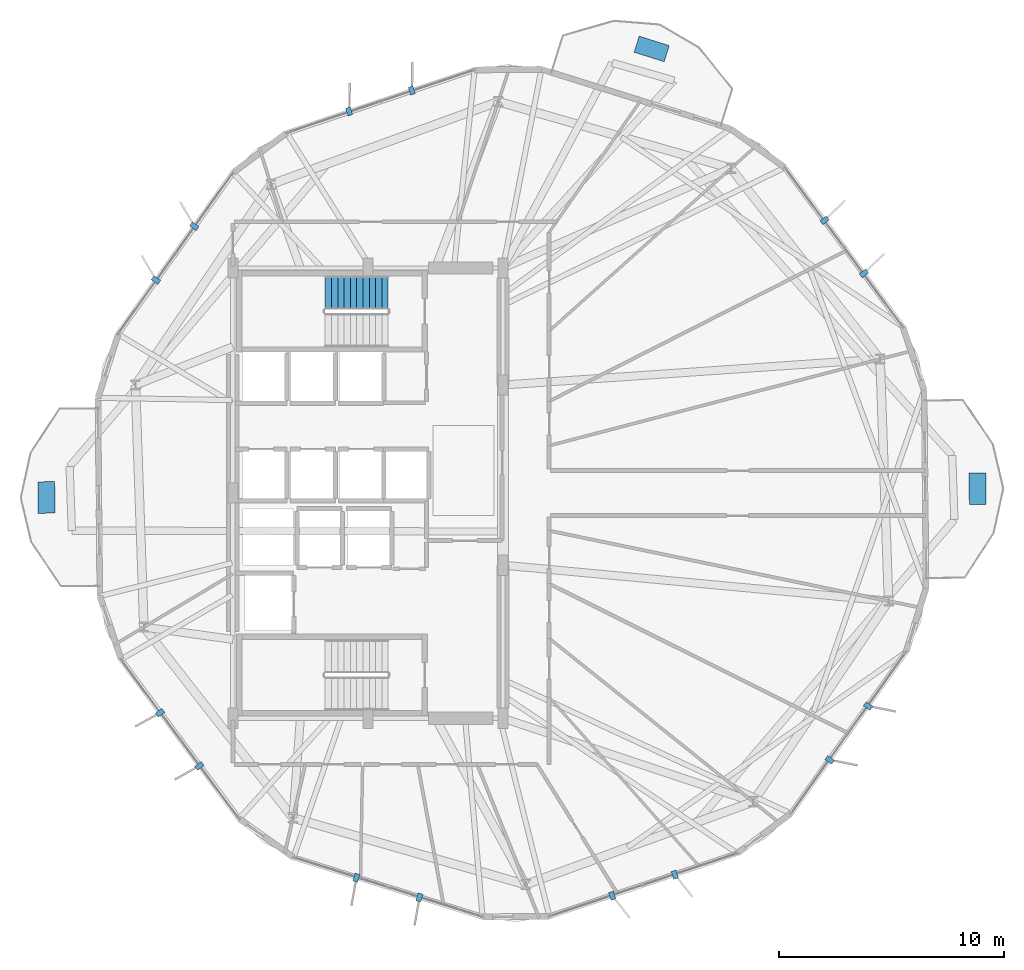
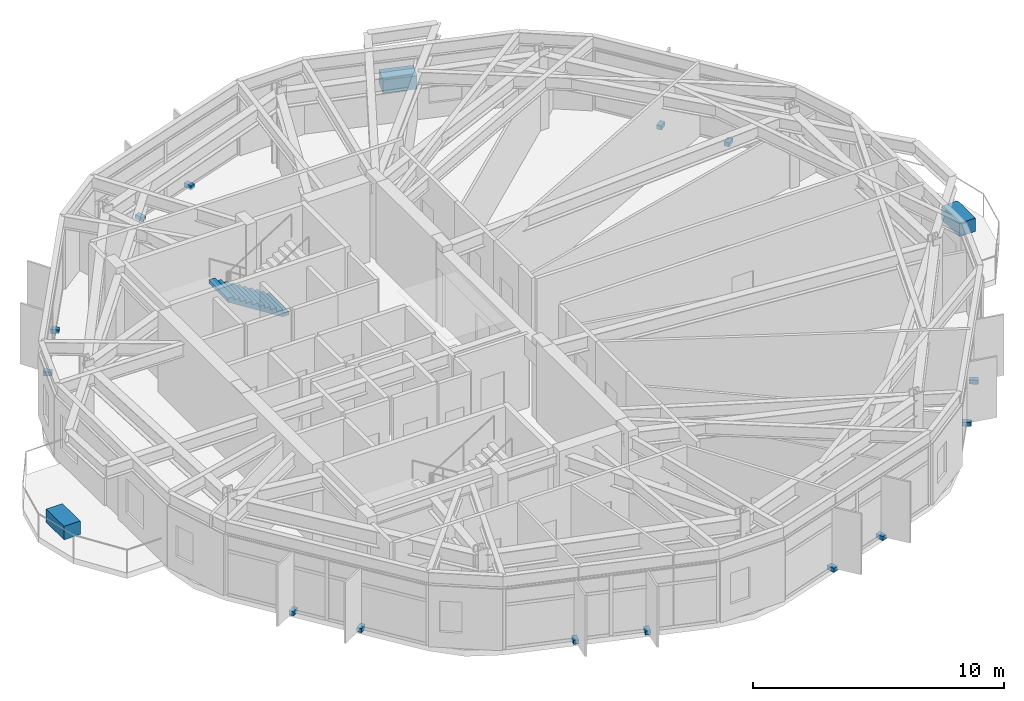
# One storey, part 24 of 27: 17 discrete accessories, 1 stair flight, 1 element without a shape of its own.
"""IFC4 building model written with IfcOpenShell, lengths in metres."""

from ifc_helpers import new_model, si_unit, direction, frame, origin, origin_2d, place, context, subcontext, project, spatial, polyline, rectangle, outline, extrude, material, layer, layer_set, type_object, element, aggregate, save


model = new_model("IFC4")

# Units and contexts
model_context = context("Model", 3, precision=1e-05, world=origin(), true_north=direction((0.0, 1.0)))
body_context = subcontext(model_context, "Body", "Model", "MODEL_VIEW")
ifc_project = project(units=[si_unit("LENGTHUNIT", "METRE"), si_unit("AREAUNIT", "SQUARE_METRE"), si_unit("VOLUMEUNIT", "CUBIC_METRE"), si_unit("PLANEANGLEUNIT", "RADIAN"), si_unit("MASSUNIT", "GRAM", prefix="KILO")], contexts=[model_context])

# Site, building, storey
site_placement = place(None, origin())
site = spatial("IfcSite", under=ifc_project, at=site_placement, CompositionType="ELEMENT")
building_placement = place(site_placement, origin())
building = spatial("IfcBuilding", under=site, at=building_placement, Name="Soratama Intermodal Tower", CompositionType="ELEMENT")
storey_placement = place(building_placement, frame((0.0, 0.0, 103.0)))
storey = spatial("IfcBuildingStorey", under=building, at=storey_placement, Name="L24", CompositionType="ELEMENT", Elevation=103.0)

# Stair, stair flight
ifc_material_1 = material(Name="Concrete f'c 42 MPa", Category="concrete")
stair_type = type_object("IfcStairType", Name="ST-CORE-DOGLEG", PredefinedType="HALF_TURN_STAIR", material=ifc_material_1)
stair_placement = place(storey_placement, origin())
stair = element("IfcStair", 1, at=stair_placement, inside=storey, type_object=stair_type, Name="L24 ST-2", PredefinedType="HALF_TURN_STAIR")
ifc_material_2 = material(Name="Precast concrete f'c 40 MPa", Category="concrete")
ifc_layer = layer(ifc_material_2, 0.199951171875)
ifc_layer_set = layer_set([ifc_layer], Name="Precast concrete f'c 40 MPa")
stair_flight_type = type_object("IfcStairFlightType", Name="SF-FLIGHT-RC", PredefinedType="STRAIGHT", material=ifc_layer_set)
stair_flight_placement = place(storey_placement, frame((39.5, 33.89990234375, 0.0), z_axis=(0.0, 0.0, 1.0), x_axis=(-1.0, 0.0, 0.0)))
stair_flight = element("IfcStairFlight", 2, at=stair_flight_placement, type_object=stair_flight_type, Name="ST-2 flight 1", NumberOfRisers=11, NumberOfTreads=10, PredefinedType="STRAIGHT", RiserHeight=0.177272727, TreadLength=0.28, context=body_context, shape_type="SweptSolid", body=[
    extrude(outline(polyline([(0.0, 0.0), (0.0, 0.17724609375), (0.280029296875, 0.17724609375), (0.280029296875, 0.3544921875), (0.56005859375, 0.3544921875), (0.56005859375, 0.53173828125), (0.840087890625, 0.53173828125), (0.840087890625, 0.708984375), (1.1201171875, 0.708984375), (1.1201171875, 0.886474609375), (1.39990234375, 0.886474609375), (1.39990234375, 1.063720703125), (1.679931640625, 1.063720703125), (1.679931640625, 1.240966796875), (1.9599609375, 1.240966796875), (1.9599609375, 1.418212890625), (2.239990234375, 1.418212890625), (2.239990234375, 1.595458984375), (2.52001953125, 1.595458984375), (2.52001953125, 1.772705078125), (2.800048828125, 1.772705078125), (2.800048828125, 1.949951171875), (2.800048828125, 1.59521484375), (0.2802734375, 0.0), (0.0, 0.0)])), frame((0.0, 0.75, 0.0), z_axis=(0.0, -1.0, 0.0), x_axis=(1.0, 0.0, 0.0)), (0.0, 0.0, 1.0), 1.5),
])
aggregate(stair, [stair_flight])

# Discrete accessories
ifc_material_3 = material(Name="Structural steel ASTM A992 Grade 50", Category="steel")
discrete_accessory_type_1 = type_object("IfcDiscreteAccessoryType", Name="AC-FIN-BRACKET", PredefinedType="BRACKET", material=ifc_material_3)
for number, where, z_axis, x_axis, name in (
    (3, (60.634521484375, 34.759033203125, -0.080078125), (0.0, 0.0, 1.0), (0.803441400112, 0.595383839708, 0.0), "L24 Fin Bracket F01-1"),
    (4, (58.88671875, 37.11767578125, -0.080078125), (0.0, 0.0, 1.0), (0.803441400112, 0.595383839708, 0.0), "L24 Fin Bracket F01-2"),
    (5, (40.550048828125, 42.885009765625, -0.080078125), (0.0, 0.0, 1.0), (-0.317966633832, 0.948101903684, 0.0), "L24 Fin Bracket F03-1"),
    (6, (37.766845703125, 41.95166015625, -0.080078125), (0.0, 0.0, 1.0), (-0.317966633832, 0.948101903684, 0.0), "L24 Fin Bracket F03-2"),
    (7, (30.88720703125, 36.853759765625, -0.080078125), (0.0, 0.0, 1.0), (-0.814520727071, 0.580134454392, 0.0), "L24 Fin Bracket F04-1"),
    (8, (29.18408203125, 34.462646484375, -0.080078125), (0.0, 0.0, 1.0), (-0.814520727071, 0.580134454392, 0.0), "L24 Fin Bracket F04-2"),
    (9, (29.365478515625, 15.240966796875, -0.080078125), (0.0, 0.0, 1.0), (-0.803441400112, -0.595383839708, 0.0), "L24 Fin Bracket F06-1"),
    (10, (31.11328125, 12.88232421875, -0.080078125), (0.0, 0.0, 1.0), (-0.803441400112, -0.595383839708, 0.0), "L24 Fin Bracket F06-2"),
    (11, (38.087646484375, 7.9150390625, -0.080078125), (0.0, 0.0, 1.0), (-0.300039906241, -0.953926650567, 0.0), "L24 Fin Bracket F07-1"),
    (12, (40.8876953125, 7.0341796875, -0.080078125), (0.0, 0.0, 1.0), (-0.300039906241, -0.953926650567, 0.0), "L24 Fin Bracket F07-2"),
    (13, (49.449951171875, 7.114990234375, -0.080078125), (0.0, 0.0, 1.0), (0.317966633832, -0.948101903684, 0.0), "L24 Fin Bracket F08-1"),
    (14, (52.233154296875, 8.04833984375, -0.080078125), (0.0, 0.0, 1.0), (0.317966633832, -0.948101903684, 0.0), "L24 Fin Bracket F08-2"),
    (15, (59.11279296875, 13.146240234375, -0.080078125), (0.0, 0.0, 1.0), (0.814520727071, -0.580134454392, 0.0), "L24 Fin Bracket F09-1"),
    (16, (60.81591796875, 15.537353515625, -0.080078125), (0.0, 0.0, 1.0), (0.814520727071, -0.580134454392, 0.0), "L24 Fin Bracket F09-2"),
):
    element("IfcDiscreteAccessory", number, at=place(storey_placement, frame(where, z_axis=z_axis, x_axis=x_axis)), inside=storey, type_object=discrete_accessory_type_1, Name=name, PredefinedType="BRACKET", context=body_context, shape_type="SweptSolid", body=[
        extrude(rectangle(XDim=0.360107421875, YDim=0.219970703125, at=origin_2d()), origin(), (0.0, 0.0, 1.0), 0.199951171875),
    ])
ifc_material_4 = material(Name="Precast concrete f'c 40 MPa", Category="concrete")
discrete_accessory_type_2 = type_object("IfcDiscreteAccessoryType", Name="AC-PLANTER-TREE", PredefinedType="USERDEFINED", material=ifc_material_4)
for number, where, z_axis, x_axis, name in (
    (17, (65.680908203125, 25.19482421875, 0.0), (0.0, 0.0, 1.0), (0.999955587109, 0.009424638433, 0.0), "L24 Tree Planter 1"),
    (18, (51.205322265625, 44.72900390625, 0.0), (0.0, 0.0, 1.0), (0.300039906241, 0.953926650567, 0.0), "L24 Tree Planter 2"),
    (19, (24.319091796875, 24.80517578125, 0.0), (0.0, 0.0, 1.0), (-0.999955587109, -0.009424638433, 0.0), "L24 Tree Planter 3"),
):
    element("IfcDiscreteAccessory", number, at=place(storey_placement, frame(where, z_axis=z_axis, x_axis=x_axis)), inside=storey, type_object=discrete_accessory_type_2, Name=name, ObjectType="PLANTER", PredefinedType="USERDEFINED", context=body_context, shape_type="SweptSolid", body=[
        extrude(rectangle(XDim=0.75, YDim=1.39990234375, at=origin_2d()), origin(), (0.0, 0.0, 1.0), 0.64990234375),
    ])

save(model, "model.ifc")
